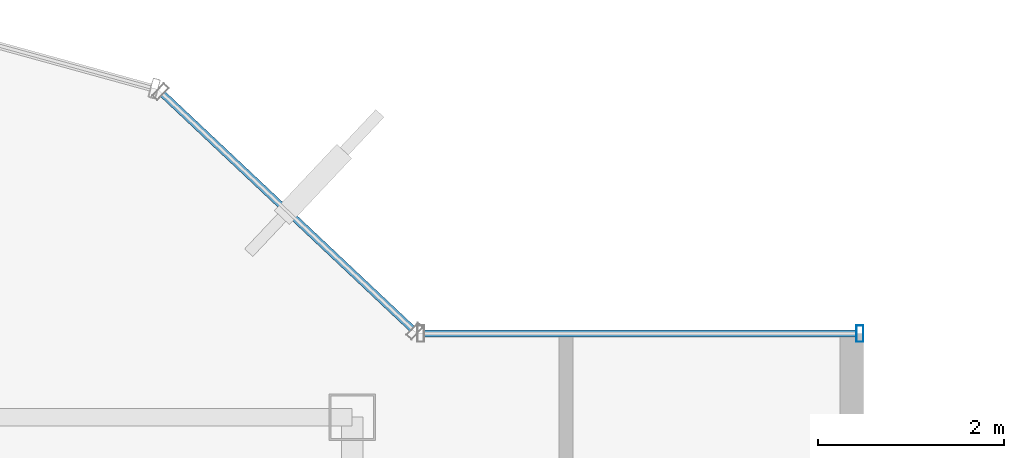
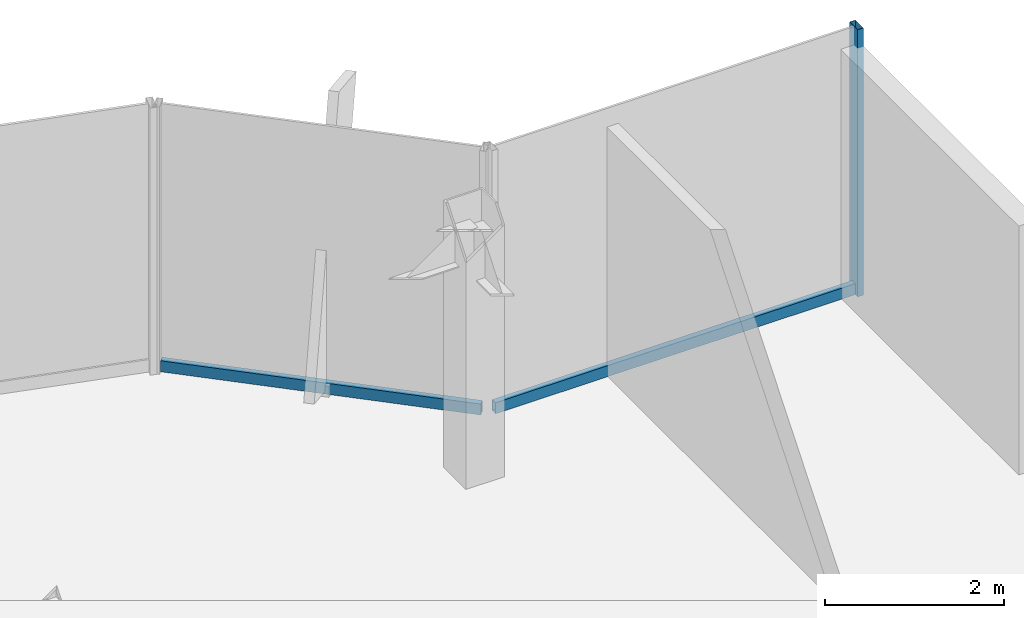
# One storey, part 15 of 22: 3 members, 2 elements without a shape of their own.
"""IFC4 building model written with IfcOpenShell, lengths in metres."""

from ifc_helpers import new_model, si_unit, derived_unit, direction, frame, origin, origin_2d, place, context, subcontext, project, spatial, hollow_rectangle, extrude, source, transform, mapped, material, material_profile, profile_set, type_object, element, aggregate, save


model = new_model("IFC4")

# Units and contexts
model_context = context("Model", 3, precision=1e-05, world=origin(), true_north=direction((0.0, 1.0)))
body_context = subcontext(model_context, "Body", "Model", "MODEL_VIEW")
ifc_project = project(units=[si_unit("LENGTHUNIT", "METRE"), si_unit("AREAUNIT", "SQUARE_METRE"), si_unit("VOLUMEUNIT", "CUBIC_METRE"), si_unit("PLANEANGLEUNIT", "RADIAN"), si_unit("MASSUNIT", "GRAM", prefix="KILO"), derived_unit("THERMALTRANSMITTANCEUNIT", [(si_unit("POWERUNIT", "WATT"), 1), (si_unit("LENGTHUNIT", "METRE"), -2), (si_unit("THERMODYNAMICTEMPERATUREUNIT", "KELVIN"), -1)])], contexts=[model_context])

# Site, building, storey
site_placement = place(None, origin())
site = spatial("IfcSite", under=ifc_project, at=site_placement, CompositionType="ELEMENT")
building_placement = place(site_placement, origin())
building = spatial("IfcBuilding", under=site, at=building_placement, Name="Skarnbrae Concourse Arena and Tower", CompositionType="ELEMENT")
storey_placement = place(building_placement, frame((0.0, 0.0, 203.199951171875)))
storey = spatial("IfcBuildingStorey", under=building, at=storey_placement, Name="L52", CompositionType="ELEMENT", Elevation=203.199951171875)

# Curtain wall, member
ifc_material = material(Name="Bronze anodised aluminium 6063-T6", Category="aluminium")
curtain_wall_type = type_object("IfcCurtainWallType", Name="CW-SYS-05-HIGHZONE", PredefinedType="USERDEFINED", material=ifc_material)
curtain_wall_1_placement = place(storey_placement, origin())
curtain_wall_1 = element("IfcCurtainWall", 1, at=curtain_wall_1_placement, inside=storey, type_object=curtain_wall_type, Name="L52 Unitised curtain wall CW-L52-E07", ObjectType="UNITISED CURTAIN WALL", PredefinedType="USERDEFINED")
ifc_material_profile_1 = material_profile(ifc_material, hollow_rectangle(XDim=0.074951171875, YDim=0.14990234375, WallThickness=0.00390625, at=origin_2d()), Name="ALU-TRAN-75X150")
ifc_profile_set_1 = profile_set([ifc_material_profile_1], Name="Bronze anodised aluminium 6063-T6")
member_type_1 = type_object("IfcMemberType", Name="CWT-CW-05", PredefinedType="USERDEFINED", material=ifc_profile_set_1)
shared_shape_1 = source(origin(), body_context, "Body", "SweptSolid", [
    extrude(hollow_rectangle(XDim=0.074951171875, YDim=0.14990234375, WallThickness=0.00390625, at=origin_2d()), origin(), (0.0, 0.0, 1.0), 4.650146484375),
])
member_1_placement = place(storey_placement, frame((38.925048828125, 35.300048828125, 0.074951171875), z_axis=(-1.0, 0.0, 0.0), x_axis=(0.0, -1.0, 0.0)))
member_1 = element("IfcMember", 2, at=member_1_placement, type_object=member_type_1, Name="CW-L52-E07 Transom 1", ObjectType="TRANSOM", PredefinedType="USERDEFINED", context=body_context, shape_type="MappedRepresentation", body=[
    mapped(shared_shape_1, transform((0.0, 0.0, 0.0))),
])

curtain_wall_2_placement = place(storey_placement, origin())
curtain_wall_2 = element("IfcCurtainWall", 3, at=curtain_wall_2_placement, inside=storey, type_object=curtain_wall_type, Name="L52 Unitised curtain wall CW-L52-E08", ObjectType="UNITISED CURTAIN WALL", PredefinedType="USERDEFINED")
shared_shape_2 = source(origin(), body_context, "Body", "SweptSolid", [
    extrude(hollow_rectangle(XDim=0.074951171875, YDim=0.14990234375, WallThickness=0.00390625, at=origin_2d()), origin(), (0.0, 0.0, 1.0), 3.68212890625),
])
member_2_placement = place(storey_placement, frame((34.1455078125, 35.351318359375, 0.074951171875), z_axis=(-0.728133808476, 0.685435012933, 0.0), x_axis=(-0.685435012933, -0.728133808476, 0.0)))
member_2 = element("IfcMember", 4, at=member_2_placement, type_object=member_type_1, Name="CW-L52-E08 Transom 1", ObjectType="TRANSOM", PredefinedType="USERDEFINED", context=body_context, shape_type="MappedRepresentation", body=[
    mapped(shared_shape_2, transform((0.0, 0.0, 0.0))),
])
aggregate(curtain_wall_2, [member_2])

# Member
ifc_material_profile_2 = material_profile(ifc_material, hollow_rectangle(XDim=0.074951171875, YDim=0.179931640625, WallThickness=0.00390625, at=origin_2d()), Name="ALU-MULL-75X180")
ifc_profile_set_2 = profile_set([ifc_material_profile_2], Name="Bronze anodised aluminium 6063-T6")
member_type_2 = type_object("IfcMemberType", Name="CWM-CW-05", PredefinedType="MULLION", material=ifc_profile_set_2)
shared_shape_3 = source(origin(), body_context, "Body", "SweptSolid", [
    extrude(hollow_rectangle(XDim=0.074951171875, YDim=0.179931640625, WallThickness=0.00390625, at=origin_2d()), origin(), (0.0, 0.0, 1.0), 3.650146484375),
])
member_3_placement = place(storey_placement, frame((38.96240234375, 35.300048828125, 0.0), z_axis=(0.0, 0.0, 1.0), x_axis=(-1.0, 0.0, 0.0)))
member_3 = element("IfcMember", 5, at=member_3_placement, type_object=member_type_2, Name="CW-L52-E07 Mullion 1", PredefinedType="MULLION", context=body_context, shape_type="MappedRepresentation", body=[
    mapped(shared_shape_3, transform((0.0, 0.0, 0.0))),
])

aggregate(curtain_wall_1, [member_3, member_1])

save(model, "model.ifc")
